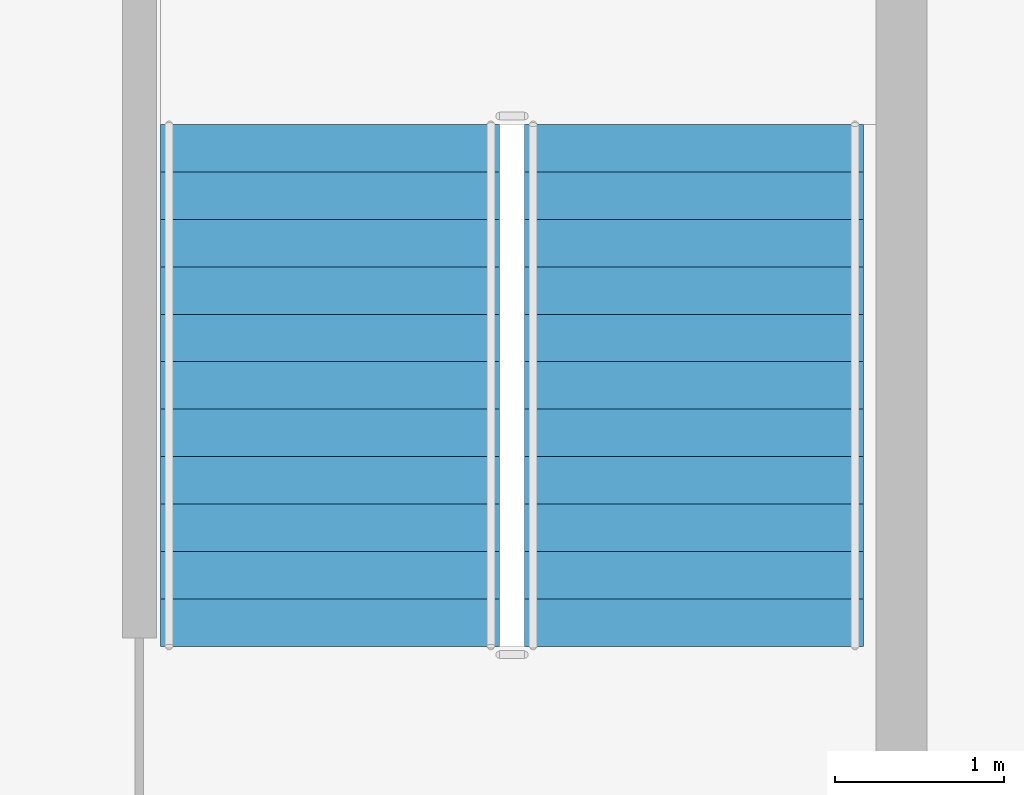
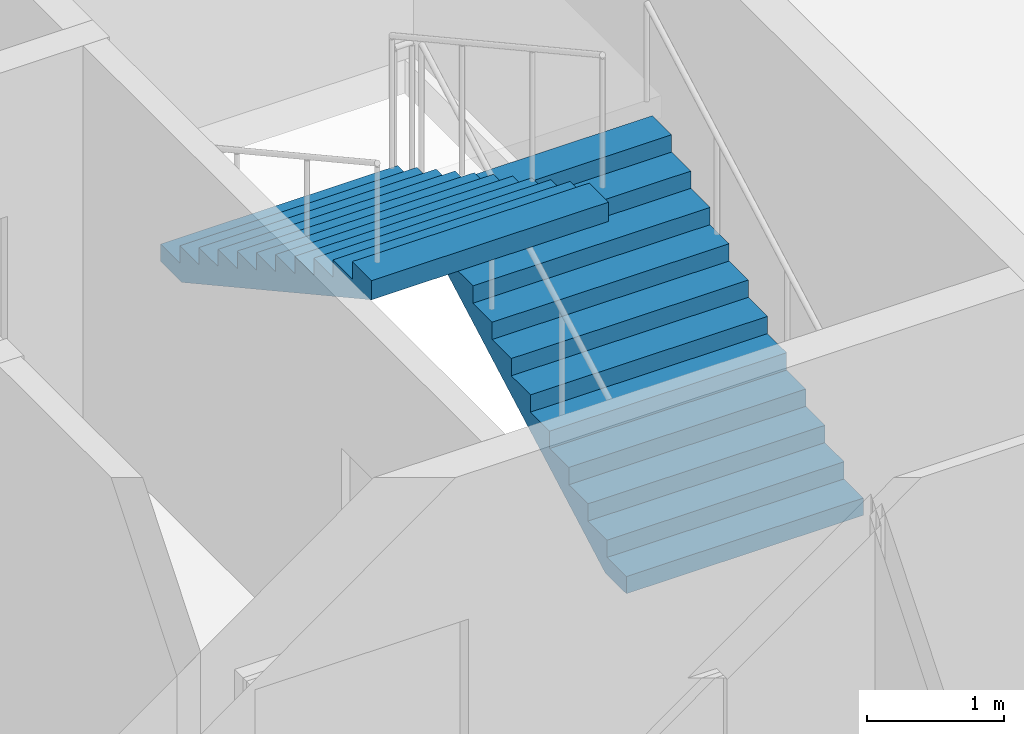
# One storey, part 8 of 11: 2 stair flights, 1 element without a shape of its own.
"""IFC4 building model written with IfcOpenShell, lengths in metres."""

import ifcopenshell
import ifcopenshell.guid

model = None  # the IFC model being written
_history = None  # IfcOwnerHistory: only IFC2X3 demands one
_inside = {}  # id of a spatial element -> (the spatial element, [elements in it])
_under = {}  # id of a project, library or spatial element -> (it, [spatial elements below it])
_declared = {}  # id of a project -> (the project, [libraries it declares])
_typed = {}  # id of a type object -> (the type object, [elements of that type])
_made_of = {}  # id of a material, layer set ... -> (it, [elements and type objects made of it])


def new_model(schema):
    """Start an empty IFC model of exactly this schema.

    Asked for "IFC4X3", IfcOpenShell would pick the latest addendum, in which some entities
    have other attributes; the version numbers below select the first issue.
    IFC2X3 requires an IfcOwnerHistory on every rooted entity: one is made here for all.
    """
    global model, _history
    if schema == "IFC4X3":
        model = ifcopenshell.file(schema_version=(4, 3, 0, 0))
    else:
        model = ifcopenshell.file(schema=schema)
    _inside.clear()
    _under.clear()
    _declared.clear()
    _typed.clear()
    _made_of.clear()
    _history = None
    if model.schema == "IFC2X3":
        org = make("IfcOrganization", Name="unknown")
        user = make(
            "IfcPersonAndOrganization",
            ThePerson=make("IfcPerson", FamilyName="unknown"),
            TheOrganization=org,
        )
        app = make(
            "IfcApplication",
            ApplicationDeveloper=org,
            Version="unknown",
            ApplicationFullName="unknown",
            ApplicationIdentifier="unknown",
        )
        _history = make(
            "IfcOwnerHistory",
            OwningUser=user,
            OwningApplication=app,
            ChangeAction="ADDED",
            CreationDate=0,
        )
    return model


def make(cls, **values):
    """One entity of the class cls with the attributes given. An attribute that is None is left unset."""
    return model.create_entity(
        cls, **{name: value for name, value in values.items() if value is not None}
    )


def rooted(cls, **values):
    """An entity with a GlobalId (a new one), such as an element, a storey or a relation."""
    return make(cls, GlobalId=ifcopenshell.guid.new(), OwnerHistory=_history, **values)


def si_unit(unit_type, name, prefix=None):
    """IfcSIUnit, for example si_unit("LENGTHUNIT", "METRE", prefix="MILLI")."""
    return make("IfcSIUnit", UnitType=unit_type, Prefix=prefix, Name=name)


def assignment(units):
    """IfcUnitAssignment: the units of a project."""
    return None if units is None else make("IfcUnitAssignment", Units=units)


def point(xyz):
    """IfcCartesianPoint."""
    return None if xyz is None else make("IfcCartesianPoint", Coordinates=xyz)


def direction(xyz):
    """IfcDirection."""
    return None if xyz is None else make("IfcDirection", DirectionRatios=xyz)


def frame(location, z_axis=None, x_axis=None):
    """IfcAxis2Placement3D, a coordinate frame: its origin and axes. An axis left out is left unset."""
    return make(
        "IfcAxis2Placement3D",
        Location=point(location),
        Axis=direction(z_axis),
        RefDirection=direction(x_axis),
    )


def origin():
    """The frame at (0, 0, 0) with its axes left unset."""
    return frame((0.0, 0.0, 0.0))


def place(relative_to, where):
    """IfcLocalPlacement: puts the frame where relative to a parent placement (None: the world)."""
    return make(
        "IfcLocalPlacement", PlacementRelTo=relative_to, RelativePlacement=where
    )


def context(
    kind, dimensions, precision=None, world=None, true_north=None, identifier=None
):
    """IfcGeometricRepresentationContext, for example the 3D "Model" context."""
    return make(
        "IfcGeometricRepresentationContext",
        ContextIdentifier=identifier,
        ContextType=kind,
        CoordinateSpaceDimension=dimensions,
        Precision=precision,
        WorldCoordinateSystem=world,
        TrueNorth=true_north,
    )


def subcontext(parent, identifier, kind, view, scale=None):
    """IfcGeometricRepresentationSubContext, for example "Body" below "Model"."""
    return make(
        "IfcGeometricRepresentationSubContext",
        ContextIdentifier=identifier,
        ContextType=kind,
        ParentContext=parent,
        TargetScale=scale,
        TargetView=view,
    )


def project(units=None, contexts=None):
    """IfcProject with its units and contexts."""
    return rooted(
        "IfcProject",
        Name="project",
        RepresentationContexts=contexts,
        UnitsInContext=assignment(units),
    )


def spatial(cls, under=None, at=None, **own):
    """A site, building, storey or space (cls), placed at a placement, below another one or the project."""
    s = rooted(cls, ObjectPlacement=at, **own)
    if under is not None:
        _under.setdefault(under.id(), (under, []))[1].append(s)
    return s


def point_list(points):
    """IfcCartesianPointList2D or 3D."""
    cls = (
        "IfcCartesianPointList2D" if len(points[0]) == 2 else "IfcCartesianPointList3D"
    )
    return make(cls, CoordList=points)


def polygons(points, faces, closed=None, point_numbers=None):
    """IfcPolygonalFaceSet: a face is its outer loop, then its inner loops; points numbered from 1."""
    made = []
    for loops in faces:
        if len(loops) == 1:
            made.append(make("IfcIndexedPolygonalFace", CoordIndex=loops[0]))
        else:
            made.append(
                make(
                    "IfcIndexedPolygonalFaceWithVoids",
                    CoordIndex=loops[0],
                    InnerCoordIndices=loops[1:],
                )
            )
    return make(
        "IfcPolygonalFaceSet",
        Coordinates=point_list(points),
        Closed=closed,
        Faces=made,
        PnIndex=point_numbers,
    )


def shape(context_of_items, identifier, shape_type, items):
    """IfcShapeRepresentation: the items that make up one representation, for example the "Body"."""
    return make(
        "IfcShapeRepresentation",
        ContextOfItems=context_of_items,
        RepresentationIdentifier=identifier,
        RepresentationType=shape_type,
        Items=items,
    )


def material(Name=None, Category=None):
    """IfcMaterial."""
    return make("IfcMaterial", Name=Name, Category=Category)


def made_of(thing, what):
    """Note that an element or type object is made of a material, layer set ...; save() writes the relation."""
    if what is not None:
        _made_of.setdefault(what.id(), (what, []))[1].append(thing)
    return thing


def type_object(cls, material=None, **own):
    """A type object (cls), such as IfcWallType, which elements share."""
    return made_of(rooted(cls, **own), material)


def element(
    cls,
    number,
    at=None,
    inside=None,
    cuts=None,
    type_object=None,
    material=None,
    context=None,
    identifier="Body",
    shape_type=None,
    held_by="IfcProductDefinitionShape",
    body=None,
    shapes=None,
    **own,
):
    """One element of the class cls, such as IfcWall. Its Tag is "e" and its number.

    at: its placement. inside: the storey or other place that contains it. cuts: it is an
    opening in that element (IfcRelVoidsElement). A single representation is given by context,
    identifier, shape_type and body (its items); several are given by shapes. held_by: the class
    of the entity that holds the representations. save() writes the other relations.
    """
    e = rooted(cls, Tag="e%d" % number, ObjectPlacement=at, **own)
    if body is not None:
        shapes = [shape(context, identifier, shape_type, body)]
    if shapes is not None:
        e.Representation = make(held_by, Representations=shapes)
    if inside is not None:
        _inside.setdefault(inside.id(), (inside, []))[1].append(e)
    if cuts is not None:
        rooted(
            "IfcRelVoidsElement", RelatingBuildingElement=cuts, RelatedOpeningElement=e
        )
    if type_object is not None:
        _typed.setdefault(type_object.id(), (type_object, []))[1].append(e)
    return made_of(e, material)


def aggregate(whole, parts):
    """IfcRelAggregates: a whole, such as a stair, and the parts it consists of."""
    return rooted("IfcRelAggregates", RelatingObject=whole, RelatedObjects=parts)


def save(model, path):
    """Write the relations noted so far, then the file.

    IfcRelAggregates (storeys below a building ...), IfcRelContainedInSpatialStructure (elements
    in a storey), IfcRelDefinesByType, IfcRelAssociatesMaterial and IfcRelDeclares: one each for
    every whole, place, type object, material and project.
    """
    for whole, parts in _under.values():
        aggregate(whole, parts)
    for where, things in _inside.values():
        rooted(
            "IfcRelContainedInSpatialStructure",
            RelatedElements=things,
            RelatingStructure=where,
        )
    for kind, things in _typed.values():
        rooted("IfcRelDefinesByType", RelatedObjects=things, RelatingType=kind)
    for what, things in _made_of.values():
        rooted("IfcRelAssociatesMaterial", RelatedObjects=things, RelatingMaterial=what)
    for by, libraries in _declared.values():
        rooted("IfcRelDeclares", RelatingContext=by, RelatedDefinitions=libraries)
    model.write(path)


model = new_model("IFC4")

# Units and contexts
model_context = context("Model", 3, precision=1e-05, world=origin(), true_north=direction((0.0, 1.0)))
body_context = subcontext(model_context, "Body", "Model", "MODEL_VIEW")
ifc_project = project(units=[si_unit("LENGTHUNIT", "METRE"), si_unit("AREAUNIT", "SQUARE_METRE"), si_unit("VOLUMEUNIT", "CUBIC_METRE"), si_unit("PLANEANGLEUNIT", "RADIAN"), si_unit("MASSUNIT", "GRAM", prefix="KILO")], contexts=[model_context])

# Site, building, storey
site_placement = place(None, origin())
site = spatial("IfcSite", under=ifc_project, at=site_placement, CompositionType="ELEMENT")
building_placement = place(site_placement, origin())
building = spatial("IfcBuilding", under=site, at=building_placement, Name="Caravel Reach Hotel and Residences", CompositionType="ELEMENT")
storey_placement = place(building_placement, frame((0.0, 0.0, 263.800048828125)))
storey = spatial("IfcBuildingStorey", under=building, at=storey_placement, Name="L67", CompositionType="ELEMENT", Elevation=263.800048828125)

# Stair, stair flights
ifc_material_1 = material(Name="Concrete C40", Category="concrete")
stair_type = type_object("IfcStairType", Name="Core stair", PredefinedType="HALF_TURN_STAIR", material=ifc_material_1)
stair_placement = place(storey_placement, origin())
stair = element("IfcStair", 1, at=stair_placement, inside=storey, type_object=stair_type, Name="L67 Exit stair B", PredefinedType="HALF_TURN_STAIR")
ifc_material_2 = material(Name="Concrete C40", Category="concrete")
stair_flight_type = type_object("IfcStairFlightType", Name="Core stair flight", PredefinedType="STRAIGHT", material=ifc_material_2)
stair_flight_1_placement = place(storey_placement, frame((43.77490234375, 24.64990234375, 0.0), z_axis=(0.0, 0.0, 1.0), x_axis=(0.0, 1.0, 0.0)))
stair_flight_1 = element("IfcStairFlight", 2, at=stair_flight_1_placement, type_object=stair_flight_type, Name="ST-B flight 1", NumberOfRisers=12, NumberOfTreads=11, PredefinedType="STRAIGHT", RiserHeight=0.154166667, TreadLength=0.28, context=body_context, shape_type="Tessellation", body=[
    polygons([(0.3107950034306102, 1.0, 0.0), (0.3107950034306102, 0.6666666666666667, 0.0), (0.3107950034306102, 0.33333333333333337, 0.0), (0.3107950034306102, 0.0, 0.0), (0.3107950034306102, -0.33333333333333326, 0.0), (0.3107950034306102, -0.6666666666666667, 0.0), (0.3107950034306102, -1.0, 0.0), (3.081, 1.0, 1.524711087717319), (3.081, 0.6666666666666667, 1.524711087717319), (3.081, 0.33333333333333337, 1.524711087717319), (3.081, 0.0, 1.524711087717319), (3.081, -0.33333333333333326, 1.524711087717319), (3.081, -0.6666666666666667, 1.524711087717319), (3.081, -1.0, 1.524711087717319), (3.081, 1.0, 1.695833337), (3.081, 0.6666666666666667, 1.695833337), (3.081, 0.33333333333333337, 1.695833337), (3.081, 0.0, 1.695833337), (3.081, -0.33333333333333326, 1.695833337), (3.081, -0.6666666666666667, 1.695833337), (3.081, -1.0, 1.695833337), (2.8000000000000003, 1.0, 1.695833337), (2.8000000000000003, 0.6666666666666667, 1.695833337), (2.8000000000000003, 0.33333333333333337, 1.695833337), (2.8000000000000003, 0.0, 1.695833337), (2.8000000000000003, -0.33333333333333326, 1.695833337), (2.8000000000000003, -0.6666666666666667, 1.695833337), (2.8000000000000003, -1.0, 1.695833337), (2.8000000000000003, 1.0, 1.5416666700000001), (2.8000000000000003, 0.6666666666666667, 1.5416666700000001), (2.8000000000000003, 0.33333333333333337, 1.5416666700000001), (2.8000000000000003, 0.0, 1.5416666700000001), (2.8000000000000003, -0.33333333333333326, 1.5416666700000001), (2.8000000000000003, -0.6666666666666667, 1.5416666700000001), (2.8000000000000003, -1.0, 1.5416666700000001), (2.5200000000000005, 1.0, 1.5416666700000001), (2.5200000000000005, 0.6666666666666667, 1.5416666700000001), (2.5200000000000005, 0.33333333333333337, 1.5416666700000001), (2.5200000000000005, 0.0, 1.5416666700000001), (2.5200000000000005, -0.33333333333333326, 1.5416666700000001), (2.5200000000000005, -0.6666666666666667, 1.5416666700000001), (2.5200000000000005, -1.0, 1.5416666700000001), (2.5200000000000005, 1.0, 1.387500003), (2.5200000000000005, 0.6666666666666667, 1.387500003), (2.5200000000000005, 0.33333333333333337, 1.387500003), (2.5200000000000005, 0.0, 1.387500003), (2.5200000000000005, -0.33333333333333326, 1.387500003), (2.5200000000000005, -0.6666666666666667, 1.387500003), (2.5200000000000005, -1.0, 1.387500003), (2.24, 1.0, 1.387500003), (2.24, 0.6666666666666667, 1.387500003), (2.24, 0.33333333333333337, 1.387500003), (2.24, 0.0, 1.387500003), (2.24, -0.33333333333333326, 1.387500003), (2.24, -0.6666666666666667, 1.387500003), (2.24, -1.0, 1.387500003), (2.24, 1.0, 1.233333336), (2.24, 0.6666666666666667, 1.233333336), (2.24, 0.33333333333333337, 1.233333336), (2.24, 0.0, 1.233333336), (2.24, -0.33333333333333326, 1.233333336), (2.24, -0.6666666666666667, 1.233333336), (2.24, -1.0, 1.233333336), (1.9600000000000002, 1.0, 1.233333336), (1.9600000000000002, 0.6666666666666667, 1.233333336), (1.9600000000000002, 0.33333333333333337, 1.233333336), (1.9600000000000002, 0.0, 1.233333336), (1.9600000000000002, -0.33333333333333326, 1.233333336), (1.9600000000000002, -0.6666666666666667, 1.233333336), (1.9600000000000002, -1.0, 1.233333336), (1.9600000000000002, 1.0, 1.0791666690000001), (1.9600000000000002, 0.6666666666666667, 1.0791666690000001), (1.9600000000000002, 0.33333333333333337, 1.0791666690000001), (1.9600000000000002, 0.0, 1.0791666690000001), (1.9600000000000002, -0.33333333333333326, 1.0791666690000001), (1.9600000000000002, -0.6666666666666667, 1.0791666690000001), (1.9600000000000002, -1.0, 1.0791666690000001), (1.6800000000000002, 1.0, 1.0791666690000001), (1.6800000000000002, 0.6666666666666667, 1.0791666690000001), (1.6800000000000002, 0.33333333333333337, 1.0791666690000001), (1.6800000000000002, 0.0, 1.0791666690000001), (1.6800000000000002, -0.33333333333333326, 1.0791666690000001), (1.6800000000000002, -0.6666666666666667, 1.0791666690000001), (1.6800000000000002, -1.0, 1.0791666690000001), (1.6800000000000002, 1.0, 0.925000002), (1.6800000000000002, 0.6666666666666667, 0.925000002), (1.6800000000000002, 0.33333333333333337, 0.925000002), (1.6800000000000002, 0.0, 0.925000002), (1.6800000000000002, -0.33333333333333326, 0.925000002), (1.6800000000000002, -0.6666666666666667, 0.925000002), (1.6800000000000002, -1.0, 0.925000002), (1.4000000000000001, 1.0, 0.925000002), (1.4000000000000001, 0.6666666666666667, 0.925000002), (1.4000000000000001, 0.33333333333333337, 0.925000002), (1.4000000000000001, 0.0, 0.925000002), (1.4000000000000001, -0.33333333333333326, 0.925000002), (1.4000000000000001, -0.6666666666666667, 0.925000002), (1.4000000000000001, -1.0, 0.925000002), (1.4000000000000001, 1.0, 0.7708333350000001), (1.4000000000000001, 0.6666666666666667, 0.7708333350000001), (1.4000000000000001, 0.33333333333333337, 0.7708333350000001), (1.4000000000000001, 0.0, 0.7708333350000001), (1.4000000000000001, -0.33333333333333326, 0.7708333350000001), (1.4000000000000001, -0.6666666666666667, 0.7708333350000001), (1.4000000000000001, -1.0, 0.7708333350000001), (1.12, 1.0, 0.7708333350000001), (1.12, 0.6666666666666667, 0.7708333350000001), (1.12, 0.33333333333333337, 0.7708333350000001), (1.12, 0.0, 0.7708333350000001), (1.12, -0.33333333333333326, 0.7708333350000001), (1.12, -0.6666666666666667, 0.7708333350000001), (1.12, -1.0, 0.7708333350000001), (1.12, 1.0, 0.616666668), (1.12, 0.6666666666666667, 0.616666668), (1.12, 0.33333333333333337, 0.616666668), (1.12, 0.0, 0.616666668), (1.12, -0.33333333333333326, 0.616666668), (1.12, -0.6666666666666667, 0.616666668), (1.12, -1.0, 0.616666668), (0.8400000000000001, 1.0, 0.616666668), (0.8400000000000001, 0.6666666666666667, 0.616666668), (0.8400000000000001, 0.33333333333333337, 0.616666668), (0.8400000000000001, 0.0, 0.616666668), (0.8400000000000001, -0.33333333333333326, 0.616666668), (0.8400000000000001, -0.6666666666666667, 0.616666668), (0.8400000000000001, -1.0, 0.616666668), (0.8400000000000001, 1.0, 0.462500001), (0.8400000000000001, 0.6666666666666667, 0.462500001), (0.8400000000000001, 0.33333333333333337, 0.462500001), (0.8400000000000001, 0.0, 0.462500001), (0.8400000000000001, -0.33333333333333326, 0.462500001), (0.8400000000000001, -0.6666666666666667, 0.462500001), (0.8400000000000001, -1.0, 0.462500001), (0.56, 1.0, 0.462500001), (0.56, 0.6666666666666667, 0.462500001), (0.56, 0.33333333333333337, 0.462500001), (0.56, 0.0, 0.462500001), (0.56, -0.33333333333333326, 0.462500001), (0.56, -0.6666666666666667, 0.462500001), (0.56, -1.0, 0.462500001), (0.56, 1.0, 0.308333334), (0.56, 0.6666666666666667, 0.308333334), (0.56, 0.33333333333333337, 0.308333334), (0.56, 0.0, 0.308333334), (0.56, -0.33333333333333326, 0.308333334), (0.56, -0.6666666666666667, 0.308333334), (0.56, -1.0, 0.308333334), (0.28, 1.0, 0.308333334), (0.28, 0.6666666666666667, 0.308333334), (0.28, 0.33333333333333337, 0.308333334), (0.28, 0.0, 0.308333334), (0.28, -0.33333333333333326, 0.308333334), (0.28, -0.6666666666666667, 0.308333334), (0.28, -1.0, 0.308333334), (0.28, 1.0, 0.154166667), (0.28, 0.6666666666666667, 0.154166667), (0.28, 0.33333333333333337, 0.154166667), (0.28, 0.0, 0.154166667), (0.28, -0.33333333333333326, 0.154166667), (0.28, -0.6666666666666667, 0.154166667), (0.28, -1.0, 0.154166667), (-0.001, 1.0, 0.154166667), (-0.001, 0.6666666666666667, 0.154166667), (-0.001, 0.33333333333333337, 0.154166667), (-0.001, 0.0, 0.154166667), (-0.001, -0.33333333333333326, 0.154166667), (-0.001, -0.6666666666666667, 0.154166667), (-0.001, -1.0, 0.154166667), (-0.001, 1.0, 0.0), (-0.001, 0.6666666666666667, 0.0), (-0.001, 0.33333333333333337, 0.0), (-0.001, 0.0, 0.0), (-0.001, -0.33333333333333326, 0.0), (-0.001, -0.6666666666666667, 0.0), (-0.001, -1.0, 0.0)], [[[169, 162, 155, 148, 141, 134, 127, 120, 113, 106, 99, 92, 85, 78, 71, 64, 57, 50, 43, 36, 29, 22, 15, 8, 1]], [[7, 14, 21, 28, 35, 42, 49, 56, 63, 70, 77, 84, 91, 98, 105, 112, 119, 126, 133, 140, 147, 154, 161, 168, 175]], [[1, 8, 9, 2]], [[2, 9, 10, 3]], [[3, 10, 11, 4]], [[4, 11, 12, 5]], [[5, 12, 13, 6]], [[6, 13, 14, 7]], [[8, 15, 16, 9]], [[9, 16, 17, 10]], [[10, 17, 18, 11]], [[11, 18, 19, 12]], [[12, 19, 20, 13]], [[13, 20, 21, 14]], [[15, 22, 23, 16]], [[16, 23, 24, 17]], [[17, 24, 25, 18]], [[18, 25, 26, 19]], [[19, 26, 27, 20]], [[20, 27, 28, 21]], [[22, 29, 30, 23]], [[23, 30, 31, 24]], [[24, 31, 32, 25]], [[25, 32, 33, 26]], [[26, 33, 34, 27]], [[27, 34, 35, 28]], [[29, 36, 37, 30]], [[30, 37, 38, 31]], [[31, 38, 39, 32]], [[32, 39, 40, 33]], [[33, 40, 41, 34]], [[34, 41, 42, 35]], [[36, 43, 44, 37]], [[37, 44, 45, 38]], [[38, 45, 46, 39]], [[39, 46, 47, 40]], [[40, 47, 48, 41]], [[41, 48, 49, 42]], [[43, 50, 51, 44]], [[44, 51, 52, 45]], [[45, 52, 53, 46]], [[46, 53, 54, 47]], [[47, 54, 55, 48]], [[48, 55, 56, 49]], [[50, 57, 58, 51]], [[51, 58, 59, 52]], [[52, 59, 60, 53]], [[53, 60, 61, 54]], [[54, 61, 62, 55]], [[55, 62, 63, 56]], [[57, 64, 65, 58]], [[58, 65, 66, 59]], [[59, 66, 67, 60]], [[60, 67, 68, 61]], [[61, 68, 69, 62]], [[62, 69, 70, 63]], [[64, 71, 72, 65]], [[65, 72, 73, 66]], [[66, 73, 74, 67]], [[67, 74, 75, 68]], [[68, 75, 76, 69]], [[69, 76, 77, 70]], [[71, 78, 79, 72]], [[72, 79, 80, 73]], [[73, 80, 81, 74]], [[74, 81, 82, 75]], [[75, 82, 83, 76]], [[76, 83, 84, 77]], [[78, 85, 86, 79]], [[79, 86, 87, 80]], [[80, 87, 88, 81]], [[81, 88, 89, 82]], [[82, 89, 90, 83]], [[83, 90, 91, 84]], [[85, 92, 93, 86]], [[86, 93, 94, 87]], [[87, 94, 95, 88]], [[88, 95, 96, 89]], [[89, 96, 97, 90]], [[90, 97, 98, 91]], [[92, 99, 100, 93]], [[93, 100, 101, 94]], [[94, 101, 102, 95]], [[95, 102, 103, 96]], [[96, 103, 104, 97]], [[97, 104, 105, 98]], [[99, 106, 107, 100]], [[100, 107, 108, 101]], [[101, 108, 109, 102]], [[102, 109, 110, 103]], [[103, 110, 111, 104]], [[104, 111, 112, 105]], [[106, 113, 114, 107]], [[107, 114, 115, 108]], [[108, 115, 116, 109]], [[109, 116, 117, 110]], [[110, 117, 118, 111]], [[111, 118, 119, 112]], [[113, 120, 121, 114]], [[114, 121, 122, 115]], [[115, 122, 123, 116]], [[116, 123, 124, 117]], [[117, 124, 125, 118]], [[118, 125, 126, 119]], [[120, 127, 128, 121]], [[121, 128, 129, 122]], [[122, 129, 130, 123]], [[123, 130, 131, 124]], [[124, 131, 132, 125]], [[125, 132, 133, 126]], [[127, 134, 135, 128]], [[128, 135, 136, 129]], [[129, 136, 137, 130]], [[130, 137, 138, 131]], [[131, 138, 139, 132]], [[132, 139, 140, 133]], [[134, 141, 142, 135]], [[135, 142, 143, 136]], [[136, 143, 144, 137]], [[137, 144, 145, 138]], [[138, 145, 146, 139]], [[139, 146, 147, 140]], [[141, 148, 149, 142]], [[142, 149, 150, 143]], [[143, 150, 151, 144]], [[144, 151, 152, 145]], [[145, 152, 153, 146]], [[146, 153, 154, 147]], [[148, 155, 156, 149]], [[149, 156, 157, 150]], [[150, 157, 158, 151]], [[151, 158, 159, 152]], [[152, 159, 160, 153]], [[153, 160, 161, 154]], [[155, 162, 163, 156]], [[156, 163, 164, 157]], [[157, 164, 165, 158]], [[158, 165, 166, 159]], [[159, 166, 167, 160]], [[160, 167, 168, 161]], [[162, 169, 170, 163]], [[163, 170, 171, 164]], [[164, 171, 172, 165]], [[165, 172, 173, 166]], [[166, 173, 174, 167]], [[167, 174, 175, 168]], [[169, 1, 2, 170]], [[170, 2, 3, 171]], [[171, 3, 4, 172]], [[172, 4, 5, 173]], [[173, 5, 6, 174]], [[174, 6, 7, 175]]], closed=True),
])
stair_flight_2_placement = place(storey_placement, frame((41.625, 27.72998046875, 1.849853515625), z_axis=(0.0, 0.0, 1.0), x_axis=(0.0, -1.0, 0.0)))
stair_flight_2 = element("IfcStairFlight", 3, at=stair_flight_2_placement, type_object=stair_flight_type, Name="ST-B flight 2", NumberOfRisers=12, NumberOfTreads=11, PredefinedType="STRAIGHT", RiserHeight=0.154166667, TreadLength=0.28, context=body_context, shape_type="Tessellation", body=[
    polygons([(0.3107950034306102, 1.0, 0.0), (0.3107950034306102, 0.6666666666666667, 0.0), (0.3107950034306102, 0.33333333333333337, 0.0), (0.3107950034306102, 0.0, 0.0), (0.3107950034306102, -0.33333333333333326, 0.0), (0.3107950034306102, -0.6666666666666667, 0.0), (0.3107950034306102, -1.0, 0.0), (3.081, 1.0, 1.524711087717319), (3.081, 0.6666666666666667, 1.524711087717319), (3.081, 0.33333333333333337, 1.524711087717319), (3.081, 0.0, 1.524711087717319), (3.081, -0.33333333333333326, 1.524711087717319), (3.081, -0.6666666666666667, 1.524711087717319), (3.081, -1.0, 1.524711087717319), (3.081, 1.0, 1.695833337), (3.081, 0.6666666666666667, 1.695833337), (3.081, 0.33333333333333337, 1.695833337), (3.081, 0.0, 1.695833337), (3.081, -0.33333333333333326, 1.695833337), (3.081, -0.6666666666666667, 1.695833337), (3.081, -1.0, 1.695833337), (2.8000000000000003, 1.0, 1.695833337), (2.8000000000000003, 0.6666666666666667, 1.695833337), (2.8000000000000003, 0.33333333333333337, 1.695833337), (2.8000000000000003, 0.0, 1.695833337), (2.8000000000000003, -0.33333333333333326, 1.695833337), (2.8000000000000003, -0.6666666666666667, 1.695833337), (2.8000000000000003, -1.0, 1.695833337), (2.8000000000000003, 1.0, 1.5416666700000001), (2.8000000000000003, 0.6666666666666667, 1.5416666700000001), (2.8000000000000003, 0.33333333333333337, 1.5416666700000001), (2.8000000000000003, 0.0, 1.5416666700000001), (2.8000000000000003, -0.33333333333333326, 1.5416666700000001), (2.8000000000000003, -0.6666666666666667, 1.5416666700000001), (2.8000000000000003, -1.0, 1.5416666700000001), (2.5200000000000005, 1.0, 1.5416666700000001), (2.5200000000000005, 0.6666666666666667, 1.5416666700000001), (2.5200000000000005, 0.33333333333333337, 1.5416666700000001), (2.5200000000000005, 0.0, 1.5416666700000001), (2.5200000000000005, -0.33333333333333326, 1.5416666700000001), (2.5200000000000005, -0.6666666666666667, 1.5416666700000001), (2.5200000000000005, -1.0, 1.5416666700000001), (2.5200000000000005, 1.0, 1.387500003), (2.5200000000000005, 0.6666666666666667, 1.387500003), (2.5200000000000005, 0.33333333333333337, 1.387500003), (2.5200000000000005, 0.0, 1.387500003), (2.5200000000000005, -0.33333333333333326, 1.387500003), (2.5200000000000005, -0.6666666666666667, 1.387500003), (2.5200000000000005, -1.0, 1.387500003), (2.24, 1.0, 1.387500003), (2.24, 0.6666666666666667, 1.387500003), (2.24, 0.33333333333333337, 1.387500003), (2.24, 0.0, 1.387500003), (2.24, -0.33333333333333326, 1.387500003), (2.24, -0.6666666666666667, 1.387500003), (2.24, -1.0, 1.387500003), (2.24, 1.0, 1.233333336), (2.24, 0.6666666666666667, 1.233333336), (2.24, 0.33333333333333337, 1.233333336), (2.24, 0.0, 1.233333336), (2.24, -0.33333333333333326, 1.233333336), (2.24, -0.6666666666666667, 1.233333336), (2.24, -1.0, 1.233333336), (1.9600000000000002, 1.0, 1.233333336), (1.9600000000000002, 0.6666666666666667, 1.233333336), (1.9600000000000002, 0.33333333333333337, 1.233333336), (1.9600000000000002, 0.0, 1.233333336), (1.9600000000000002, -0.33333333333333326, 1.233333336), (1.9600000000000002, -0.6666666666666667, 1.233333336), (1.9600000000000002, -1.0, 1.233333336), (1.9600000000000002, 1.0, 1.0791666690000001), (1.9600000000000002, 0.6666666666666667, 1.0791666690000001), (1.9600000000000002, 0.33333333333333337, 1.0791666690000001), (1.9600000000000002, 0.0, 1.0791666690000001), (1.9600000000000002, -0.33333333333333326, 1.0791666690000001), (1.9600000000000002, -0.6666666666666667, 1.0791666690000001), (1.9600000000000002, -1.0, 1.0791666690000001), (1.6800000000000002, 1.0, 1.0791666690000001), (1.6800000000000002, 0.6666666666666667, 1.0791666690000001), (1.6800000000000002, 0.33333333333333337, 1.0791666690000001), (1.6800000000000002, 0.0, 1.0791666690000001), (1.6800000000000002, -0.33333333333333326, 1.0791666690000001), (1.6800000000000002, -0.6666666666666667, 1.0791666690000001), (1.6800000000000002, -1.0, 1.0791666690000001), (1.6800000000000002, 1.0, 0.925000002), (1.6800000000000002, 0.6666666666666667, 0.925000002), (1.6800000000000002, 0.33333333333333337, 0.925000002), (1.6800000000000002, 0.0, 0.925000002), (1.6800000000000002, -0.33333333333333326, 0.925000002), (1.6800000000000002, -0.6666666666666667, 0.925000002), (1.6800000000000002, -1.0, 0.925000002), (1.4000000000000001, 1.0, 0.925000002), (1.4000000000000001, 0.6666666666666667, 0.925000002), (1.4000000000000001, 0.33333333333333337, 0.925000002), (1.4000000000000001, 0.0, 0.925000002), (1.4000000000000001, -0.33333333333333326, 0.925000002), (1.4000000000000001, -0.6666666666666667, 0.925000002), (1.4000000000000001, -1.0, 0.925000002), (1.4000000000000001, 1.0, 0.7708333350000001), (1.4000000000000001, 0.6666666666666667, 0.7708333350000001), (1.4000000000000001, 0.33333333333333337, 0.7708333350000001), (1.4000000000000001, 0.0, 0.7708333350000001), (1.4000000000000001, -0.33333333333333326, 0.7708333350000001), (1.4000000000000001, -0.6666666666666667, 0.7708333350000001), (1.4000000000000001, -1.0, 0.7708333350000001), (1.12, 1.0, 0.7708333350000001), (1.12, 0.6666666666666667, 0.7708333350000001), (1.12, 0.33333333333333337, 0.7708333350000001), (1.12, 0.0, 0.7708333350000001), (1.12, -0.33333333333333326, 0.7708333350000001), (1.12, -0.6666666666666667, 0.7708333350000001), (1.12, -1.0, 0.7708333350000001), (1.12, 1.0, 0.616666668), (1.12, 0.6666666666666667, 0.616666668), (1.12, 0.33333333333333337, 0.616666668), (1.12, 0.0, 0.616666668), (1.12, -0.33333333333333326, 0.616666668), (1.12, -0.6666666666666667, 0.616666668), (1.12, -1.0, 0.616666668), (0.8400000000000001, 1.0, 0.616666668), (0.8400000000000001, 0.6666666666666667, 0.616666668), (0.8400000000000001, 0.33333333333333337, 0.616666668), (0.8400000000000001, 0.0, 0.616666668), (0.8400000000000001, -0.33333333333333326, 0.616666668), (0.8400000000000001, -0.6666666666666667, 0.616666668), (0.8400000000000001, -1.0, 0.616666668), (0.8400000000000001, 1.0, 0.462500001), (0.8400000000000001, 0.6666666666666667, 0.462500001), (0.8400000000000001, 0.33333333333333337, 0.462500001), (0.8400000000000001, 0.0, 0.462500001), (0.8400000000000001, -0.33333333333333326, 0.462500001), (0.8400000000000001, -0.6666666666666667, 0.462500001), (0.8400000000000001, -1.0, 0.462500001), (0.56, 1.0, 0.462500001), (0.56, 0.6666666666666667, 0.462500001), (0.56, 0.33333333333333337, 0.462500001), (0.56, 0.0, 0.462500001), (0.56, -0.33333333333333326, 0.462500001), (0.56, -0.6666666666666667, 0.462500001), (0.56, -1.0, 0.462500001), (0.56, 1.0, 0.308333334), (0.56, 0.6666666666666667, 0.308333334), (0.56, 0.33333333333333337, 0.308333334), (0.56, 0.0, 0.308333334), (0.56, -0.33333333333333326, 0.308333334), (0.56, -0.6666666666666667, 0.308333334), (0.56, -1.0, 0.308333334), (0.28, 1.0, 0.308333334), (0.28, 0.6666666666666667, 0.308333334), (0.28, 0.33333333333333337, 0.308333334), (0.28, 0.0, 0.308333334), (0.28, -0.33333333333333326, 0.308333334), (0.28, -0.6666666666666667, 0.308333334), (0.28, -1.0, 0.308333334), (0.28, 1.0, 0.154166667), (0.28, 0.6666666666666667, 0.154166667), (0.28, 0.33333333333333337, 0.154166667), (0.28, 0.0, 0.154166667), (0.28, -0.33333333333333326, 0.154166667), (0.28, -0.6666666666666667, 0.154166667), (0.28, -1.0, 0.154166667), (-0.001, 1.0, 0.154166667), (-0.001, 0.6666666666666667, 0.154166667), (-0.001, 0.33333333333333337, 0.154166667), (-0.001, 0.0, 0.154166667), (-0.001, -0.33333333333333326, 0.154166667), (-0.001, -0.6666666666666667, 0.154166667), (-0.001, -1.0, 0.154166667), (-0.001, 1.0, 0.0), (-0.001, 0.6666666666666667, 0.0), (-0.001, 0.33333333333333337, 0.0), (-0.001, 0.0, 0.0), (-0.001, -0.33333333333333326, 0.0), (-0.001, -0.6666666666666667, 0.0), (-0.001, -1.0, 0.0)], [[[169, 162, 155, 148, 141, 134, 127, 120, 113, 106, 99, 92, 85, 78, 71, 64, 57, 50, 43, 36, 29, 22, 15, 8, 1]], [[7, 14, 21, 28, 35, 42, 49, 56, 63, 70, 77, 84, 91, 98, 105, 112, 119, 126, 133, 140, 147, 154, 161, 168, 175]], [[1, 8, 9, 2]], [[2, 9, 10, 3]], [[3, 10, 11, 4]], [[4, 11, 12, 5]], [[5, 12, 13, 6]], [[6, 13, 14, 7]], [[8, 15, 16, 9]], [[9, 16, 17, 10]], [[10, 17, 18, 11]], [[11, 18, 19, 12]], [[12, 19, 20, 13]], [[13, 20, 21, 14]], [[15, 22, 23, 16]], [[16, 23, 24, 17]], [[17, 24, 25, 18]], [[18, 25, 26, 19]], [[19, 26, 27, 20]], [[20, 27, 28, 21]], [[22, 29, 30, 23]], [[23, 30, 31, 24]], [[24, 31, 32, 25]], [[25, 32, 33, 26]], [[26, 33, 34, 27]], [[27, 34, 35, 28]], [[29, 36, 37, 30]], [[30, 37, 38, 31]], [[31, 38, 39, 32]], [[32, 39, 40, 33]], [[33, 40, 41, 34]], [[34, 41, 42, 35]], [[36, 43, 44, 37]], [[37, 44, 45, 38]], [[38, 45, 46, 39]], [[39, 46, 47, 40]], [[40, 47, 48, 41]], [[41, 48, 49, 42]], [[43, 50, 51, 44]], [[44, 51, 52, 45]], [[45, 52, 53, 46]], [[46, 53, 54, 47]], [[47, 54, 55, 48]], [[48, 55, 56, 49]], [[50, 57, 58, 51]], [[51, 58, 59, 52]], [[52, 59, 60, 53]], [[53, 60, 61, 54]], [[54, 61, 62, 55]], [[55, 62, 63, 56]], [[57, 64, 65, 58]], [[58, 65, 66, 59]], [[59, 66, 67, 60]], [[60, 67, 68, 61]], [[61, 68, 69, 62]], [[62, 69, 70, 63]], [[64, 71, 72, 65]], [[65, 72, 73, 66]], [[66, 73, 74, 67]], [[67, 74, 75, 68]], [[68, 75, 76, 69]], [[69, 76, 77, 70]], [[71, 78, 79, 72]], [[72, 79, 80, 73]], [[73, 80, 81, 74]], [[74, 81, 82, 75]], [[75, 82, 83, 76]], [[76, 83, 84, 77]], [[78, 85, 86, 79]], [[79, 86, 87, 80]], [[80, 87, 88, 81]], [[81, 88, 89, 82]], [[82, 89, 90, 83]], [[83, 90, 91, 84]], [[85, 92, 93, 86]], [[86, 93, 94, 87]], [[87, 94, 95, 88]], [[88, 95, 96, 89]], [[89, 96, 97, 90]], [[90, 97, 98, 91]], [[92, 99, 100, 93]], [[93, 100, 101, 94]], [[94, 101, 102, 95]], [[95, 102, 103, 96]], [[96, 103, 104, 97]], [[97, 104, 105, 98]], [[99, 106, 107, 100]], [[100, 107, 108, 101]], [[101, 108, 109, 102]], [[102, 109, 110, 103]], [[103, 110, 111, 104]], [[104, 111, 112, 105]], [[106, 113, 114, 107]], [[107, 114, 115, 108]], [[108, 115, 116, 109]], [[109, 116, 117, 110]], [[110, 117, 118, 111]], [[111, 118, 119, 112]], [[113, 120, 121, 114]], [[114, 121, 122, 115]], [[115, 122, 123, 116]], [[116, 123, 124, 117]], [[117, 124, 125, 118]], [[118, 125, 126, 119]], [[120, 127, 128, 121]], [[121, 128, 129, 122]], [[122, 129, 130, 123]], [[123, 130, 131, 124]], [[124, 131, 132, 125]], [[125, 132, 133, 126]], [[127, 134, 135, 128]], [[128, 135, 136, 129]], [[129, 136, 137, 130]], [[130, 137, 138, 131]], [[131, 138, 139, 132]], [[132, 139, 140, 133]], [[134, 141, 142, 135]], [[135, 142, 143, 136]], [[136, 143, 144, 137]], [[137, 144, 145, 138]], [[138, 145, 146, 139]], [[139, 146, 147, 140]], [[141, 148, 149, 142]], [[142, 149, 150, 143]], [[143, 150, 151, 144]], [[144, 151, 152, 145]], [[145, 152, 153, 146]], [[146, 153, 154, 147]], [[148, 155, 156, 149]], [[149, 156, 157, 150]], [[150, 157, 158, 151]], [[151, 158, 159, 152]], [[152, 159, 160, 153]], [[153, 160, 161, 154]], [[155, 162, 163, 156]], [[156, 163, 164, 157]], [[157, 164, 165, 158]], [[158, 165, 166, 159]], [[159, 166, 167, 160]], [[160, 167, 168, 161]], [[162, 169, 170, 163]], [[163, 170, 171, 164]], [[164, 171, 172, 165]], [[165, 172, 173, 166]], [[166, 173, 174, 167]], [[167, 174, 175, 168]], [[169, 1, 2, 170]], [[170, 2, 3, 171]], [[171, 3, 4, 172]], [[172, 4, 5, 173]], [[173, 5, 6, 174]], [[174, 6, 7, 175]]], closed=True),
])
aggregate(stair, [stair_flight_1, stair_flight_2])

save(model, "model.ifc")
